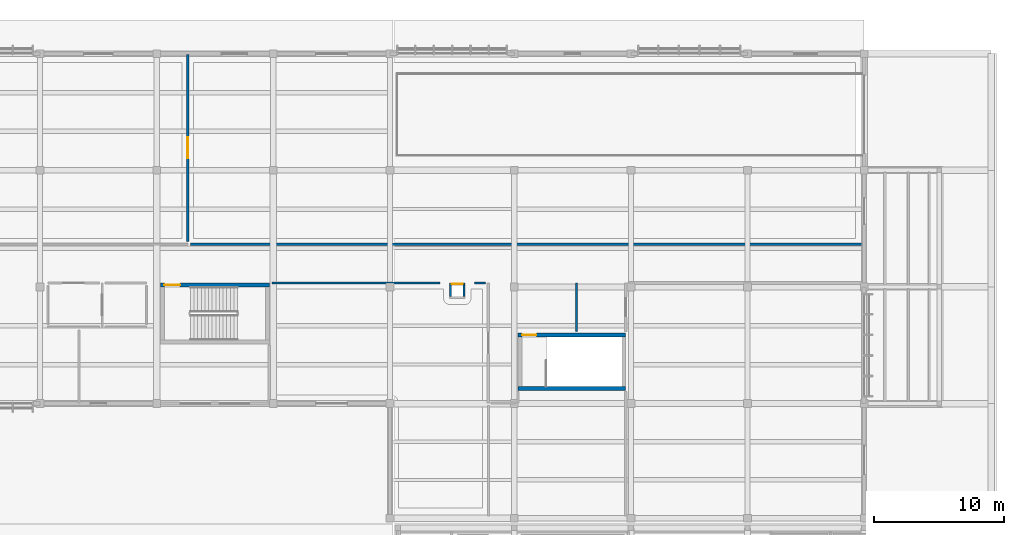
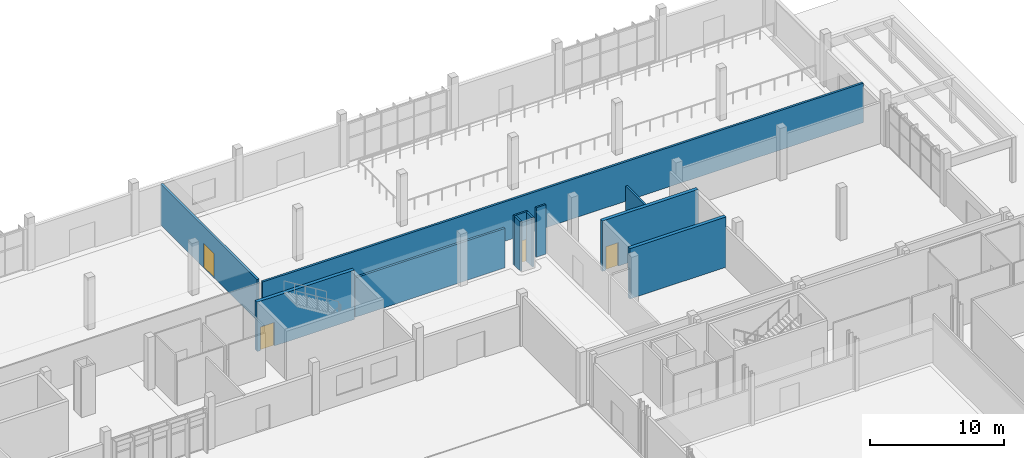
# One storey, part 125 of 151: 11 walls, 4 doors, 4 openings.
"""IFC4 building model written with IfcOpenShell, lengths in metres."""

from ifc_helpers import new_model, si_unit, direction, frame, frame_2d, origin, place, context, subcontext, project, spatial, rectangle, extrude, material, layer, layer_set, type_object, element, fill, save


model = new_model("IFC4")

# Units and contexts
model_context = context("Model", 3, precision=1e-05, world=origin(), true_north=direction((0.0, 1.0)))
body_context = subcontext(model_context, "Body", "Model", "MODEL_VIEW")
ifc_project = project(units=[si_unit("LENGTHUNIT", "METRE"), si_unit("AREAUNIT", "SQUARE_METRE"), si_unit("VOLUMEUNIT", "CUBIC_METRE"), si_unit("PLANEANGLEUNIT", "RADIAN"), si_unit("MASSUNIT", "GRAM", prefix="KILO")], contexts=[model_context])

# Site, building, storey
site_placement = place(None, origin())
site = spatial("IfcSite", under=ifc_project, at=site_placement, CompositionType="ELEMENT")
building_placement = place(site_placement, origin())
building = spatial("IfcBuilding", under=site, at=building_placement, Name="Chiffa Square Polytechnic", CompositionType="ELEMENT")
storey_placement = place(building_placement, origin())
storey = spatial("IfcBuildingStorey", under=building, at=storey_placement, Name="L00", CompositionType="ELEMENT", Elevation=0.0)

# Wall, opening, door
ifc_material_1 = material(Name="Concrete C40/50", Category="concrete")
ifc_layer_1 = layer(ifc_material_1, 0.300048828125, Name="Concrete C40/50")
ifc_layer_set_1 = layer_set([ifc_layer_1], Name="Concrete C40/50")
wall_type_1 = type_object("IfcWallType", Name="WL-CORE-300", PredefinedType="SHEAR", material=ifc_layer_set_1)
wall_1_placement = place(storey_placement, frame((93.89990234375, 112.949951171875, 0.0), z_axis=(0.0, 0.0, 1.0), x_axis=(1.0, 0.0, 0.0)))
wall_1 = element("IfcWall", 1, at=wall_1_placement, inside=storey, type_object=wall_type_1, Name="Core or enclosure wall WC-CORE-V5B-L00-NORTH", PredefinedType="SHEAR", context=body_context, shape_type="SweptSolid", body=[
    extrude(rectangle(XDim=8.400146484375, YDim=0.300048828125, at=frame_2d((4.2001953125, 0.0))), origin(), (0.0, 0.0, 1.0), 4.52001953125),
])
opening_1_placement = place(wall_1_placement, frame((0.300048828125, 0.0, 0.0)))
opening_1 = element("IfcOpeningElement", 2, at=opening_1_placement, cuts=wall_1, Name="Opening DS-L00-038", PredefinedType="OPENING", context=body_context, shape_type="SweptSolid", body=[
    extrude(rectangle(XDim=1.199951171875, YDim=2.14990234375, at=frame_2d((0.60009765625, 1.074951171875))), frame((0.0, 0.16015625, 0.0), z_axis=(0.0, -1.0, 0.0), x_axis=(1.0, 0.0, 0.0)), (0.0, 0.0, 1.0), 0.320068359375),
])
ifc_material_2 = material(Name="Fire-rated painted steel leaf", Category="steel")
door_type_1 = type_object("IfcDoorType", Name="DR-STAIR-1200", OperationType="NOTDEFINED", PredefinedType="DOOR", material=ifc_material_2)
door_1_placement = place(opening_1_placement, origin())
door_1 = element("IfcDoor", 3, at=door_1_placement, inside=storey, type_object=door_type_1, Name="Enclosure door DS-L00-038", OperationType="SINGLE_SWING_RIGHT", OverallHeight=2.14990234375, OverallWidth=1.199951171875, PredefinedType="DOOR", context=body_context, shape_type="SweptSolid", body=[
    extrude(rectangle(XDim=1.199951171875, YDim=2.14990234375, at=frame_2d((0.60009765625, 1.074951171875))), frame((0.0, 0.02490234375, 0.0), z_axis=(0.0, -1.0, 0.0), x_axis=(1.0, 0.0, 0.0)), (0.0, 0.0, 1.0), 0.050048828125),
])
fill(opening_1, door_1)

# Wall
wall_2_placement = place(storey_placement, frame((121.5, 104.949951171875, 0.0), z_axis=(0.0, 0.0, 1.0), x_axis=(1.0, 0.0, 0.0)))
element("IfcWall", 4, at=wall_2_placement, inside=storey, type_object=wall_type_1, Name="Core or enclosure wall WC-CORE-B1E-L00-SOUTH", PredefinedType="SHEAR", context=body_context, shape_type="SweptSolid", body=[
    extrude(rectangle(XDim=8.300048828125, YDim=0.300048828125, at=frame_2d((4.14990234375, 0.0))), origin(), (0.0, 0.0, 1.0), 4.60009765625),
])

# Wall, opening, door
wall_3_placement = place(storey_placement, frame((121.5, 109.10009765625, 0.0), z_axis=(0.0, 0.0, 1.0), x_axis=(1.0, 0.0, 0.0)))
wall_3 = element("IfcWall", 5, at=wall_3_placement, inside=storey, type_object=wall_type_1, Name="Core or enclosure wall WC-CORE-B1E-L00-NORTH", PredefinedType="SHEAR", context=body_context, shape_type="SweptSolid", body=[
    extrude(rectangle(XDim=8.300048828125, YDim=0.300048828125, at=frame_2d((4.14990234375, 0.0))), origin(), (0.0, 0.0, 1.0), 4.60009765625),
])
opening_2_placement = place(wall_3_placement, frame((0.300048828125, 0.0, 0.0)))
opening_2 = element("IfcOpeningElement", 6, at=opening_2_placement, cuts=wall_3, Name="Opening DS-L00-046", PredefinedType="OPENING", context=body_context, shape_type="SweptSolid", body=[
    extrude(rectangle(XDim=1.10009765625, YDim=2.14990234375, at=frame_2d((0.550048828125, 1.074951171875))), frame((0.0, 0.16015625, 0.0), z_axis=(0.0, -1.0, 0.0), x_axis=(1.0, 0.0, 0.0)), (0.0, 0.0, 1.0), 0.320068359375),
])
door_type_2 = type_object("IfcDoorType", Name="DR-STAIR-1100", OperationType="NOTDEFINED", PredefinedType="DOOR", material=ifc_material_2)
door_2_placement = place(opening_2_placement, origin())
door_2 = element("IfcDoor", 7, at=door_2_placement, inside=storey, type_object=door_type_2, Name="Enclosure door DS-L00-046", OperationType="SINGLE_SWING_RIGHT", OverallHeight=2.14990234375, OverallWidth=1.10009765625, PredefinedType="DOOR", context=body_context, shape_type="SweptSolid", body=[
    extrude(rectangle(XDim=1.10009765625, YDim=2.14990234375, at=frame_2d((0.550048828125, 1.074951171875))), frame((0.0, 0.02490234375, 0.0), z_axis=(0.0, -1.0, 0.0), x_axis=(1.0, 0.0, 0.0)), (0.0, 0.0, 1.0), 0.050048828125),
])
fill(opening_2, door_2)

ifc_material_3 = material(Name="Gypsum board on acoustic steel stud", Category="steel")
ifc_layer_2 = layer(ifc_material_3, 0.159912109375, Name="Gypsum board on acoustic steel stud")
ifc_layer_set_2 = layer_set([ifc_layer_2], Name="Gypsum board on acoustic steel stud")
wall_type_2 = type_object("IfcWallType", Name="WL-PART-EI60-160", PredefinedType="PARTITIONING", material=ifc_layer_set_2)
wall_4_placement = place(storey_placement, frame((116.199951171875, 113.02001953125, 0.0), z_axis=(0.0, 0.0, 1.0), x_axis=(1.0, 0.0, 0.0)))
wall_4 = element("IfcWall", 8, at=wall_4_placement, inside=storey, type_object=wall_type_2, Name="Core or enclosure wall WP-RSR-V5-E-L00-NORTH", PredefinedType="PARTITIONING", context=body_context, shape_type="SweptSolid", body=[
    extrude(rectangle(XDim=1.199951171875, YDim=0.159912109375, at=frame_2d((0.60009765625, 0.0))), origin(), (0.0, 0.0, 1.0), 4.52001953125),
])
opening_3_placement = place(wall_4_placement, frame((0.175048828125, 0.0, 0.0)))
opening_3 = element("IfcOpeningElement", 9, at=opening_3_placement, cuts=wall_4, Name="Opening DI-L00-R14", PredefinedType="OPENING", context=body_context, shape_type="SweptSolid", body=[
    extrude(rectangle(XDim=0.85009765625, YDim=2.02001953125, at=frame_2d((0.425048828125, 1.010009765625))), frame((0.0, 0.08984375, 0.0), z_axis=(0.0, -1.0, 0.0), x_axis=(1.0, 0.0, 0.0)), (0.0, 0.0, 1.0), 0.179931640625),
])
ifc_material_4 = material(Name="Fire-rated steel riser access door", Category="steel")
door_type_3 = type_object("IfcDoorType", Name="DR-RISER-850", OperationType="NOTDEFINED", PredefinedType="DOOR", material=ifc_material_4)
door_3_placement = place(opening_3_placement, origin())
door_3 = element("IfcDoor", 10, at=door_3_placement, inside=storey, type_object=door_type_3, Name="Enclosure door DI-L00-R14", OperationType="SINGLE_SWING_RIGHT", OverallHeight=2.02001953125, OverallWidth=0.85009765625, PredefinedType="DOOR", context=body_context, shape_type="SweptSolid", body=[
    extrude(rectangle(XDim=0.85009765625, YDim=2.02001953125, at=frame_2d((0.425048828125, 1.010009765625))), frame((0.0, 0.02490234375, 0.0), z_axis=(0.0, -1.0, 0.0), x_axis=(1.0, 0.0, 0.0)), (0.0, 0.0, 1.0), 0.050048828125),
])
fill(opening_3, door_3)

# Walls
for number, where, z_axis, x_axis, name in (
    (11, (116.280029296875, 112.06005859375, 0.0), (0.0, 0.0, 1.0), (0.0, 1.0, 0.0), "Core or enclosure wall WP-RSR-V5-E-L00-WEST"),
    (12, (117.320068359375, 112.06005859375, 0.0), (0.0, 0.0, 1.0), (0.0, 1.0, 0.0), "Core or enclosure wall WP-RSR-V5-E-L00-EAST"),
):
    element("IfcWall", number, at=place(storey_placement, frame(where, z_axis=z_axis, x_axis=x_axis)), inside=storey, type_object=wall_type_2, Name=name, PredefinedType="PARTITIONING", context=body_context, shape_type="SweptSolid", body=[
        extrude(rectangle(XDim=0.8798828125, YDim=0.159912109375, at=frame_2d((0.43994140625, 0.0))), origin(), (0.0, 0.0, 1.0), 4.52001953125),
    ])
wall_5_placement = place(storey_placement, frame((118.14599609375, 113.10009765625, 0.0), z_axis=(0.0, 0.0, 1.0), x_axis=(1.0, 0.0, 0.0)))
element("IfcWall", 13, at=wall_5_placement, inside=storey, type_object=wall_type_2, Name="Interior partition WP-V5-L00-0153", PredefinedType="PARTITIONING", context=body_context, shape_type="SweptSolid", body=[
    extrude(rectangle(XDim=0.833984375, YDim=0.159912109375, at=frame_2d((0.4169921875, 0.0))), origin(), (0.0, 0.0, 1.0), 4.52001953125),
])
wall_6_placement = place(storey_placement, frame((126.0, 109.340087890625, 0.0), z_axis=(0.0, 0.0, 1.0), x_axis=(0.0, 1.0, 0.0)))
element("IfcWall", 14, at=wall_6_placement, inside=storey, type_object=wall_type_2, Name="Interior partition WP-V5-L00-0214", PredefinedType="PARTITIONING", context=body_context, shape_type="SweptSolid", body=[
    extrude(rectangle(XDim=3.760009765625, YDim=0.159912109375, at=frame_2d((1.8798828125, 0.0))), origin(), (0.0, 0.0, 1.0), 3.7548828125),
])
ifc_material_5 = material(Name="Gypsum board on twin steel stud", Category="steel")
ifc_layer_3 = layer(ifc_material_5, 0.18505859375, Name="Gypsum board on twin steel stud")
ifc_layer_set_3 = layer_set([ifc_layer_3], Name="Gypsum board on twin steel stud")
wall_type_3 = type_object("IfcWallType", Name="WL-PART-EI90-185", PredefinedType="PARTITIONING", material=ifc_layer_set_3)
wall_7_placement = place(storey_placement, frame((102.487060546875, 113.10009765625, 0.0), z_axis=(0.0, 0.0, 1.0), x_axis=(1.0, 0.0, 0.0)))
element("IfcWall", 15, at=wall_7_placement, inside=storey, type_object=wall_type_3, Name="Interior partition WP-V5-L00-0154", PredefinedType="PARTITIONING", context=body_context, shape_type="SweptSolid", body=[
    extrude(rectangle(XDim=12.967041015625, YDim=0.18505859375, at=frame_2d((6.4833984375, 0.0))), origin(), (0.0, 0.0, 1.0), 3.60498046875),
])

# Wall, opening, door
wall_8_placement = place(storey_placement, frame((96.0, 116.320068359375, 0.0), z_axis=(0.0, 0.0, 1.0), x_axis=(0.0, 1.0, 0.0)))
wall_8 = element("IfcWall", 16, at=wall_8_placement, inside=storey, type_object=wall_type_3, Name="Interior partition WP-V5-L00-0192", PredefinedType="PARTITIONING", context=body_context, shape_type="SweptSolid", body=[
    extrude(rectangle(XDim=14.425048828125, YDim=0.18505859375, at=frame_2d((7.21240234375, 0.0))), origin(), (0.0, 0.0, 1.0), 3.7548828125),
])
opening_4_placement = place(wall_8_placement, frame((6.4130859375, 0.0, 0.0)))
opening_4 = element("IfcOpeningElement", 17, at=opening_4_placement, cuts=wall_8, Name="Opening DI-L00-107", PredefinedType="OPENING", context=body_context, shape_type="SweptSolid", body=[
    extrude(rectangle(XDim=1.60009765625, YDim=2.199951171875, at=frame_2d((0.800048828125, 1.10009765625))), frame((0.0, 0.1025390625, 0.0), z_axis=(0.0, -1.0, 0.0), x_axis=(1.0, 0.0, 0.0)), (0.0, 0.0, 1.0), 0.205078125),
])
ifc_material_6 = material(Name="Vision-panel timber laboratory door", Category="wood")
door_type_4 = type_object("IfcDoorType", Name="DR-LAB-DBL-1600", OperationType="DOUBLE_DOOR_SINGLE_SWING", PredefinedType="DOOR", material=ifc_material_6)
door_4_placement = place(opening_4_placement, origin())
door_4 = element("IfcDoor", 18, at=door_4_placement, inside=storey, type_object=door_type_4, Name="Interior room door DI-L00-107", OperationType="DOUBLE_DOOR_SINGLE_SWING", OverallHeight=2.199951171875, OverallWidth=1.60009765625, PredefinedType="DOOR", context=body_context, shape_type="SweptSolid", body=[
    extrude(rectangle(XDim=1.60009765625, YDim=2.199951171875, at=frame_2d((0.800048828125, 1.10009765625))), frame((0.0, 0.02490234375, 0.0), z_axis=(0.0, -1.0, 0.0), x_axis=(1.0, 0.0, 0.0)), (0.0, 0.0, 1.0), 0.050048828125),
])
fill(opening_4, door_4)

# Wall
wall_9_placement = place(storey_placement, frame((96.219970703125, 116.10009765625, 0.0), z_axis=(0.0, 0.0, 1.0), x_axis=(1.0, 0.0, 0.0)))
element("IfcWall", 19, at=wall_9_placement, inside=storey, type_object=wall_type_3, Name="Interior partition WP-V5-L00-0194", PredefinedType="PARTITIONING", context=body_context, shape_type="SweptSolid", body=[
    extrude(rectangle(XDim=51.925048828125, YDim=0.18505859375, at=frame_2d((25.96240234375, 0.0))), origin(), (0.0, 0.0, 1.0), 3.60498046875),
])

save(model, "model.ifc")
